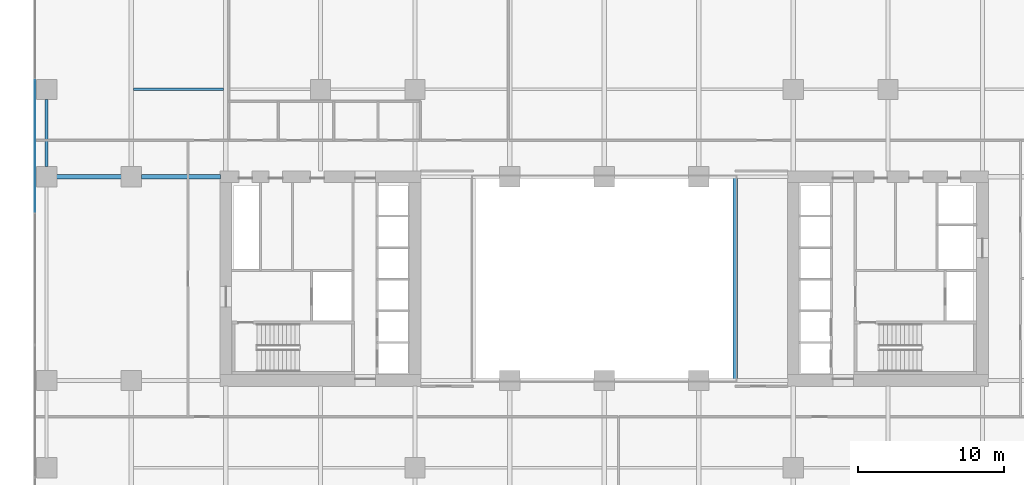
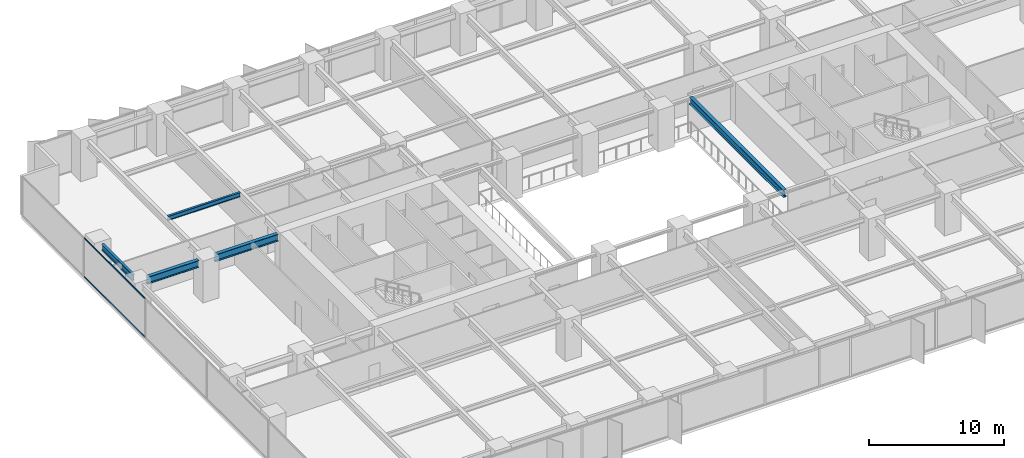
# One storey, part 6 of 20: 5 beams, 2 members, 1 element without a shape of its own.
"""IFC4 building model written with IfcOpenShell, lengths in metres."""

import ifcopenshell
import ifcopenshell.guid

model = None  # the IFC model being written
_history = None  # IfcOwnerHistory: only IFC2X3 demands one
_inside = {}  # id of a spatial element -> (the spatial element, [elements in it])
_under = {}  # id of a project, library or spatial element -> (it, [spatial elements below it])
_declared = {}  # id of a project -> (the project, [libraries it declares])
_typed = {}  # id of a type object -> (the type object, [elements of that type])
_made_of = {}  # id of a material, layer set ... -> (it, [elements and type objects made of it])


def new_model(schema):
    """Start an empty IFC model of exactly this schema.

    Asked for "IFC4X3", IfcOpenShell would pick the latest addendum, in which some entities
    have other attributes; the version numbers below select the first issue.
    IFC2X3 requires an IfcOwnerHistory on every rooted entity: one is made here for all.
    """
    global model, _history
    if schema == "IFC4X3":
        model = ifcopenshell.file(schema_version=(4, 3, 0, 0))
    else:
        model = ifcopenshell.file(schema=schema)
    _inside.clear()
    _under.clear()
    _declared.clear()
    _typed.clear()
    _made_of.clear()
    _history = None
    if model.schema == "IFC2X3":
        org = make("IfcOrganization", Name="unknown")
        user = make(
            "IfcPersonAndOrganization",
            ThePerson=make("IfcPerson", FamilyName="unknown"),
            TheOrganization=org,
        )
        app = make(
            "IfcApplication",
            ApplicationDeveloper=org,
            Version="unknown",
            ApplicationFullName="unknown",
            ApplicationIdentifier="unknown",
        )
        _history = make(
            "IfcOwnerHistory",
            OwningUser=user,
            OwningApplication=app,
            ChangeAction="ADDED",
            CreationDate=0,
        )
    return model


def make(cls, **values):
    """One entity of the class cls with the attributes given. An attribute that is None is left unset."""
    return model.create_entity(
        cls, **{name: value for name, value in values.items() if value is not None}
    )


def rooted(cls, **values):
    """An entity with a GlobalId (a new one), such as an element, a storey or a relation."""
    return make(cls, GlobalId=ifcopenshell.guid.new(), OwnerHistory=_history, **values)


def si_unit(unit_type, name, prefix=None):
    """IfcSIUnit, for example si_unit("LENGTHUNIT", "METRE", prefix="MILLI")."""
    return make("IfcSIUnit", UnitType=unit_type, Prefix=prefix, Name=name)


def assignment(units):
    """IfcUnitAssignment: the units of a project."""
    return None if units is None else make("IfcUnitAssignment", Units=units)


def point(xyz):
    """IfcCartesianPoint."""
    return None if xyz is None else make("IfcCartesianPoint", Coordinates=xyz)


def direction(xyz):
    """IfcDirection."""
    return None if xyz is None else make("IfcDirection", DirectionRatios=xyz)


def frame(location, z_axis=None, x_axis=None):
    """IfcAxis2Placement3D, a coordinate frame: its origin and axes. An axis left out is left unset."""
    return make(
        "IfcAxis2Placement3D",
        Location=point(location),
        Axis=direction(z_axis),
        RefDirection=direction(x_axis),
    )


def frame_2d(location, x_axis=None):
    """IfcAxis2Placement2D, a coordinate frame in the plane: its origin and x axis."""
    return make(
        "IfcAxis2Placement2D", Location=point(location), RefDirection=direction(x_axis)
    )


def origin():
    """The frame at (0, 0, 0) with its axes left unset."""
    return frame((0.0, 0.0, 0.0))


def origin_2d():
    """The frame at (0, 0) in the plane with its x axis left unset."""
    return frame_2d((0.0, 0.0))


def place(relative_to, where):
    """IfcLocalPlacement: puts the frame where relative to a parent placement (None: the world)."""
    return make(
        "IfcLocalPlacement", PlacementRelTo=relative_to, RelativePlacement=where
    )


def context(
    kind, dimensions, precision=None, world=None, true_north=None, identifier=None
):
    """IfcGeometricRepresentationContext, for example the 3D "Model" context."""
    return make(
        "IfcGeometricRepresentationContext",
        ContextIdentifier=identifier,
        ContextType=kind,
        CoordinateSpaceDimension=dimensions,
        Precision=precision,
        WorldCoordinateSystem=world,
        TrueNorth=true_north,
    )


def subcontext(parent, identifier, kind, view, scale=None):
    """IfcGeometricRepresentationSubContext, for example "Body" below "Model"."""
    return make(
        "IfcGeometricRepresentationSubContext",
        ContextIdentifier=identifier,
        ContextType=kind,
        ParentContext=parent,
        TargetScale=scale,
        TargetView=view,
    )


def project(units=None, contexts=None):
    """IfcProject with its units and contexts."""
    return rooted(
        "IfcProject",
        Name="project",
        RepresentationContexts=contexts,
        UnitsInContext=assignment(units),
    )


def spatial(cls, under=None, at=None, **own):
    """A site, building, storey or space (cls), placed at a placement, below another one or the project."""
    s = rooted(cls, ObjectPlacement=at, **own)
    if under is not None:
        _under.setdefault(under.id(), (under, []))[1].append(s)
    return s


def profile(cls, at=None, kind="AREA", **sizes):
    """A parametric profile (cls). Its sizes go by their IFC names, for example OverallWidth=200.0."""
    return make(cls, ProfileType=kind, Position=at, **sizes)


def rectangle(**sizes):
    """IfcRectangleProfileDef."""
    return profile("IfcRectangleProfileDef", **sizes)


def i_section(**sizes):
    """IfcIShapeProfileDef."""
    return profile("IfcIShapeProfileDef", **sizes)


def extrude(swept, where, along, depth):
    """IfcExtrudedAreaSolid: the profile swept, set in the frame where, extruded along a direction by depth."""
    return make(
        "IfcExtrudedAreaSolid",
        SweptArea=swept,
        Position=where,
        ExtrudedDirection=direction(along),
        Depth=depth,
    )


def shape(context_of_items, identifier, shape_type, items):
    """IfcShapeRepresentation: the items that make up one representation, for example the "Body"."""
    return make(
        "IfcShapeRepresentation",
        ContextOfItems=context_of_items,
        RepresentationIdentifier=identifier,
        RepresentationType=shape_type,
        Items=items,
    )


def material(Name=None, Category=None):
    """IfcMaterial."""
    return make("IfcMaterial", Name=Name, Category=Category)


def layer(
    of_material, thickness, ventilated=None, Name=None, Category=None, Priority=None
):
    """IfcMaterialLayer: one layer of a wall or slab, of a material (None: an air gap)."""
    return make(
        "IfcMaterialLayer",
        Material=of_material,
        LayerThickness=thickness,
        IsVentilated=ventilated,
        Name=Name,
        Category=Category,
        Priority=Priority,
    )


def layer_set(layers, Name=None):
    """IfcMaterialLayerSet."""
    return make("IfcMaterialLayerSet", MaterialLayers=layers, LayerSetName=Name)


def material_profile(
    of_material, cross_section, Name=None, Category=None, Priority=None
):
    """IfcMaterialProfile: a cross section and its material."""
    return make(
        "IfcMaterialProfile",
        Name=Name,
        Material=of_material,
        Profile=cross_section,
        Priority=Priority,
        Category=Category,
    )


def profile_set(profiles, Name=None, composite=None):
    """IfcMaterialProfileSet."""
    return make(
        "IfcMaterialProfileSet",
        Name=Name,
        MaterialProfiles=profiles,
        CompositeProfile=composite,
    )


def made_of(thing, what):
    """Note that an element or type object is made of a material, layer set ...; save() writes the relation."""
    if what is not None:
        _made_of.setdefault(what.id(), (what, []))[1].append(thing)
    return thing


def type_object(cls, material=None, **own):
    """A type object (cls), such as IfcWallType, which elements share."""
    return made_of(rooted(cls, **own), material)


def element(
    cls,
    number,
    at=None,
    inside=None,
    cuts=None,
    type_object=None,
    material=None,
    context=None,
    identifier="Body",
    shape_type=None,
    held_by="IfcProductDefinitionShape",
    body=None,
    shapes=None,
    **own,
):
    """One element of the class cls, such as IfcWall. Its Tag is "e" and its number.

    at: its placement. inside: the storey or other place that contains it. cuts: it is an
    opening in that element (IfcRelVoidsElement). A single representation is given by context,
    identifier, shape_type and body (its items); several are given by shapes. held_by: the class
    of the entity that holds the representations. save() writes the other relations.
    """
    e = rooted(cls, Tag="e%d" % number, ObjectPlacement=at, **own)
    if body is not None:
        shapes = [shape(context, identifier, shape_type, body)]
    if shapes is not None:
        e.Representation = make(held_by, Representations=shapes)
    if inside is not None:
        _inside.setdefault(inside.id(), (inside, []))[1].append(e)
    if cuts is not None:
        rooted(
            "IfcRelVoidsElement", RelatingBuildingElement=cuts, RelatedOpeningElement=e
        )
    if type_object is not None:
        _typed.setdefault(type_object.id(), (type_object, []))[1].append(e)
    return made_of(e, material)


def aggregate(whole, parts):
    """IfcRelAggregates: a whole, such as a stair, and the parts it consists of."""
    return rooted("IfcRelAggregates", RelatingObject=whole, RelatedObjects=parts)


def save(model, path):
    """Write the relations noted so far, then the file.

    IfcRelAggregates (storeys below a building ...), IfcRelContainedInSpatialStructure (elements
    in a storey), IfcRelDefinesByType, IfcRelAssociatesMaterial and IfcRelDeclares: one each for
    every whole, place, type object, material and project.
    """
    for whole, parts in _under.values():
        aggregate(whole, parts)
    for where, things in _inside.values():
        rooted(
            "IfcRelContainedInSpatialStructure",
            RelatedElements=things,
            RelatingStructure=where,
        )
    for kind, things in _typed.values():
        rooted("IfcRelDefinesByType", RelatedObjects=things, RelatingType=kind)
    for what, things in _made_of.values():
        rooted("IfcRelAssociatesMaterial", RelatedObjects=things, RelatingMaterial=what)
    for by, libraries in _declared.values():
        rooted("IfcRelDeclares", RelatingContext=by, RelatedDefinitions=libraries)
    model.write(path)


model = new_model("IFC4")

# Units and contexts
model_context = context("Model", 3, precision=1e-05, world=origin(), true_north=direction((0.0, 1.0)))
body_context = subcontext(model_context, "Body", "Model", "MODEL_VIEW")
ifc_project = project(units=[si_unit("LENGTHUNIT", "METRE"), si_unit("AREAUNIT", "SQUARE_METRE"), si_unit("VOLUMEUNIT", "CUBIC_METRE"), si_unit("PLANEANGLEUNIT", "RADIAN"), si_unit("MASSUNIT", "GRAM", prefix="KILO")], contexts=[model_context])

# Site, building, storey
site_placement = place(None, origin())
site = spatial("IfcSite", under=ifc_project, at=site_placement, CompositionType="ELEMENT")
building_placement = place(site_placement, origin())
building = spatial("IfcBuilding", under=site, at=building_placement, Name="Putna Gate Headquarters", CompositionType="ELEMENT")
storey_placement = place(building_placement, frame((0.0, 0.0, 31.60009765625)))
storey = spatial("IfcBuildingStorey", under=building, at=storey_placement, Name="L06", CompositionType="ELEMENT", Elevation=31.60009765625)

# Beams
ifc_material_1 = material(Name="Steel S355J2", Category="steel")
ifc_material_profile_1 = material_profile(ifc_material_1, i_section(OverallWidth=0.300048828125, OverallDepth=0.64990234375, WebThickness=0.01611328125, FlangeThickness=0.031005859375, at=origin_2d()), Name="Steel S355J2")
ifc_profile_set_1 = profile_set([ifc_material_profile_1], Name="Steel S355J2")
beam_type_1 = type_object("IfcBeamType", Name="BM-GIRD-Z1-HEB650", PredefinedType="USERDEFINED", material=ifc_profile_set_1)
beam_1_placement = place(storey_placement, frame((1.367919921875, 33.0, 3.224853515625), z_axis=(1.0, 0.0, 0.0), x_axis=(0.0, 1.0, 0.0)))
element("IfcBeam", 1, at=beam_1_placement, inside=storey, type_object=beam_type_1, Name="L06 West Wing Girder Y33-1", ObjectType="GIRDER", PredefinedType="USERDEFINED", context=body_context, shape_type="SweptSolid", body=[
    extrude(i_section(OverallWidth=0.300048828125, OverallDepth=0.64990234375, WebThickness=0.01611328125, FlangeThickness=0.031005859375, at=origin_2d()), origin(), (0.0, 0.0, 1.0), 4.444091796875),
])
beam_2_placement = place(storey_placement, frame((7.18798828125, 33.0, 3.224853515625), z_axis=(1.0, 0.0, 0.0), x_axis=(0.0, 1.0, 0.0)))
element("IfcBeam", 2, at=beam_2_placement, inside=storey, type_object=beam_type_1, Name="L06 West Wing Girder Y33-2", ObjectType="GIRDER", PredefinedType="USERDEFINED", context=body_context, shape_type="SweptSolid", body=[
    extrude(i_section(OverallWidth=0.300048828125, OverallDepth=0.64990234375, WebThickness=0.01611328125, FlangeThickness=0.031005859375, at=origin_2d()), origin(), (0.0, 0.0, 1.0), 5.427001953125),
])
beam_3_placement = place(storey_placement, frame((48.0, 19.010009765625, 3.224853515625), z_axis=(0.0, 1.0, 0.0), x_axis=(-1.0, 0.0, 0.0)))
element("IfcBeam", 3, at=beam_3_placement, inside=storey, type_object=beam_type_1, Name="L06 Atrium Trim Girder AE", ObjectType="GIRDER", PredefinedType="USERDEFINED", context=body_context, shape_type="SweptSolid", body=[
    extrude(i_section(OverallWidth=0.300048828125, OverallDepth=0.64990234375, WebThickness=0.01611328125, FlangeThickness=0.031005859375, at=origin_2d()), origin(), (0.0, 0.0, 1.0), 13.97998046875),
])
ifc_material_profile_2 = material_profile(ifc_material_1, i_section(OverallWidth=0.179931640625, OverallDepth=0.39990234375, WebThickness=0.008544921875, FlangeThickness=0.013427734375, at=origin_2d()), Name="Steel S355J2")
ifc_profile_set_2 = profile_set([ifc_material_profile_2], Name="Steel S355J2")
beam_type_2 = type_object("IfcBeamType", Name="BM-SEC-Z1-IPE400", PredefinedType="BEAM", material=ifc_profile_set_2)
beam_4_placement = place(storey_placement, frame((6.654052734375, 39.0, 3.349853515625), z_axis=(1.0, 0.0, 0.0), x_axis=(0.0, 1.0, 0.0)))
element("IfcBeam", 4, at=beam_4_placement, inside=storey, type_object=beam_type_2, Name="L06 North Secondary Beam 1", PredefinedType="BEAM", context=body_context, shape_type="SweptSolid", body=[
    extrude(i_section(OverallWidth=0.179931640625, OverallDepth=0.39990234375, WebThickness=0.008544921875, FlangeThickness=0.013427734375, at=origin_2d()), origin(), (0.0, 0.0, 1.0), 6.19189453125),
])
ifc_material_profile_3 = material_profile(ifc_material_1, i_section(OverallWidth=0.2099609375, OverallDepth=0.550048828125, WebThickness=0.010986328125, FlangeThickness=0.01708984375, at=origin_2d()), Name="Steel S355J2")
ifc_profile_set_3 = profile_set([ifc_material_profile_3], Name="Steel S355J2")
beam_type_3 = type_object("IfcBeamType", Name="BM-SPAN-Z1-IPE550", PredefinedType="SPANDREL", material=ifc_profile_set_3)
beam_5_placement = place(storey_placement, frame((0.679931640625, 33.68798828125, 3.27490234375), z_axis=(0.0, 1.0, 0.0), x_axis=(-1.0, 0.0, 0.0)))
element("IfcBeam", 5, at=beam_5_placement, inside=storey, type_object=beam_type_3, Name="L06 W End Spandrel 3", PredefinedType="SPANDREL", context=body_context, shape_type="SweptSolid", body=[
    extrude(i_section(OverallWidth=0.2099609375, OverallDepth=0.550048828125, WebThickness=0.010986328125, FlangeThickness=0.01708984375, at=origin_2d()), origin(), (0.0, 0.0, 1.0), 4.6240234375),
])

# Curtain wall, members
ifc_material_2 = material(Name="Anodised bronze aluminium curtain wall", Category="aluminium")
ifc_layer = layer(ifc_material_2, 0.179931640625)
ifc_layer_set = layer_set([ifc_layer], Name="Anodised bronze aluminium curtain wall")
curtain_wall_type = type_object("IfcCurtainWallType", Name="CW-SYS-Z1", PredefinedType="USERDEFINED", material=ifc_layer_set)
curtain_wall_placement = place(storey_placement, origin())
curtain_wall = element("IfcCurtainWall", 6, at=curtain_wall_placement, inside=storey, type_object=curtain_wall_type, Name="L06 West Curtain Wall", ObjectType="STICK CURTAIN WALL", PredefinedType="USERDEFINED")
ifc_material_3 = material(Name="Anodised bronze aluminium EN AW-6060", Category="aluminium")
ifc_material_profile_4 = material_profile(ifc_material_3, rectangle(XDim=0.06494140625, YDim=0.1201171875, at=origin_2d()), Name="Anodised bronze aluminium EN AW-6060")
ifc_profile_set_4 = profile_set([ifc_material_profile_4], Name="Anodised bronze aluminium EN AW-6060")
member_type = type_object("IfcMemberType", Name="TRAN-CWT-1", PredefinedType="USERDEFINED", material=ifc_profile_set_4)
member_1_placement = place(storey_placement, frame((-0.1201171875, 30.594970703125, 0.032470703125), z_axis=(0.0, 1.0, 0.0), x_axis=(-1.0, 0.0, 0.0)))
member_1 = element("IfcMember", 7, at=member_1_placement, type_object=member_type, Name="CWS-1 transom 4.1", ObjectType="TRANSOM", PredefinedType="USERDEFINED", context=body_context, shape_type="SweptSolid", body=[
    extrude(rectangle(XDim=0.06494140625, YDim=0.1201171875, at=origin_2d()), origin(), (0.0, 0.0, 1.0), 9.050048828125),
])
member_2_placement = place(storey_placement, frame((-0.1201171875, 30.594970703125, 3.517333984375), z_axis=(0.0, 1.0, 0.0), x_axis=(-1.0, 0.0, 0.0)))
member_2 = element("IfcMember", 8, at=member_2_placement, type_object=member_type, Name="CWS-1 transom 4.2", ObjectType="TRANSOM", PredefinedType="USERDEFINED", context=body_context, shape_type="SweptSolid", body=[
    extrude(rectangle(XDim=0.06494140625, YDim=0.1201171875, at=origin_2d()), origin(), (0.0, 0.0, 1.0), 9.050048828125),
])
aggregate(curtain_wall, [member_1, member_2])

save(model, "model.ifc")
